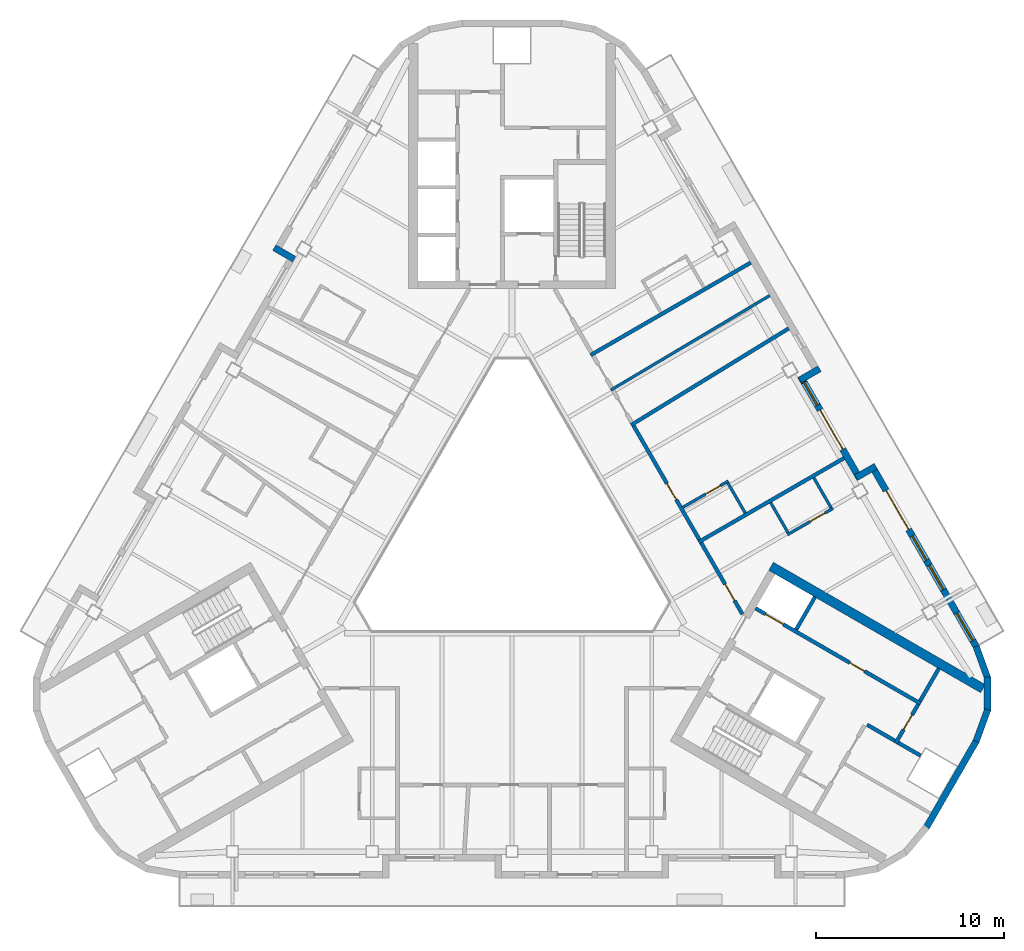
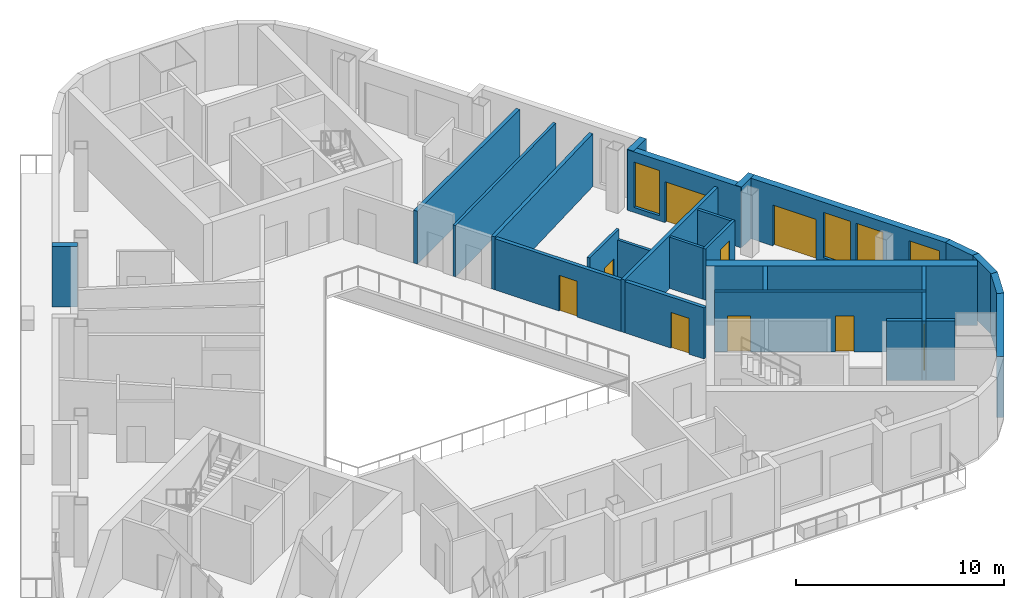
# One storey, part 6 of 13: 27 walls, 9 doors, 4 windows, 13 openings.
"""IFC4 building model written with IfcOpenShell, lengths in metres."""

from ifc_helpers import new_model, si_unit, direction, frame, frame_2d, origin, place, context, subcontext, project, spatial, rectangle, extrude, material, layer, layer_set, type_object, element, fill, save


model = new_model("IFC4")

# Units and contexts
model_context = context("Model", 3, precision=1e-05, world=origin(), true_north=direction((0.0, 1.0)))
body_context = subcontext(model_context, "Body", "Model", "MODEL_VIEW")
ifc_project = project(units=[si_unit("LENGTHUNIT", "METRE"), si_unit("AREAUNIT", "SQUARE_METRE"), si_unit("VOLUMEUNIT", "CUBIC_METRE"), si_unit("PLANEANGLEUNIT", "RADIAN"), si_unit("MASSUNIT", "GRAM", prefix="KILO")], contexts=[model_context])

# Site, building, storey
site_placement = place(None, origin())
site = spatial("IfcSite", under=ifc_project, at=site_placement, CompositionType="ELEMENT")
building_placement = place(site_placement, origin())
building = spatial("IfcBuilding", under=site, at=building_placement, Name="Apuvela Tower Hotel", CompositionType="ELEMENT")
storey_placement = place(building_placement, frame((0.0, 0.0, 272.60009765625)))
storey = spatial("IfcBuildingStorey", under=building, at=storey_placement, Name="L67", CompositionType="ELEMENT", Elevation=272.60009765625)

# Wall
ifc_material_1 = material(Name="Concrete C50/60", Category="concrete")
ifc_layer_1 = layer(ifc_material_1, 0.5)
ifc_layer_set_1 = layer_set([ifc_layer_1], Name="COR-WALL-CORE-500")
wall_type_1 = type_object("IfcWallType", Name="COR-WALL-CORE-500", PredefinedType="SHEAR", material=ifc_layer_set_1)
wall_1_placement = place(storey_placement, frame((13.796630859375, -1.9033203125, 0.0), z_axis=(0.0, 0.0, 1.0), x_axis=(0.866022106474, -0.500005711065, 0.0)))
element("IfcWall", 1, at=wall_1_placement, inside=storey, type_object=wall_type_1, Name="Core wall SE", PredefinedType="SHEAR", context=body_context, shape_type="SweptSolid", body=[
    extrude(rectangle(XDim=13.031494140625, YDim=0.5, at=frame_2d((6.515625, 0.0))), origin(), (0.0, 0.0, 1.0), 3.5),
])

# Wall, openings, doors
ifc_layer_2 = layer(ifc_material_1, 0.199951171875)
ifc_layer_set_2 = layer_set([ifc_layer_2], Name="COR-WALL-SHAFT-200")
wall_type_2 = type_object("IfcWallType", Name="COR-WALL-SHAFT-200", PredefinedType="SHEAR", material=ifc_layer_set_2)
wall_2_placement = place(storey_placement, frame((12.968017578125, -4.138427734375, 0.0), z_axis=(0.0, 0.0, 1.0), x_axis=(0.866028328073, -0.49999493495, 0.0)))
wall_2 = element("IfcWall", 2, at=wall_2_placement, inside=storey, type_object=wall_type_2, Name="Shaft wall SE", PredefinedType="SHEAR", context=body_context, shape_type="SweptSolid", body=[
    extrude(rectangle(XDim=10.16015625, YDim=0.199951171875, at=frame_2d((5.080078125, 0.0))), origin(), (0.0, 0.0, 1.0), 3.5),
])
opening_1_placement = place(wall_2_placement, frame((0.6201171875, 0.0, 0.0)))
opening_1 = element("IfcOpeningElement", 3, at=opening_1_placement, cuts=wall_2, Name="Opening E-LD-HR3", PredefinedType="OPENING", context=body_context, shape_type="SweptSolid", body=[
    extrude(rectangle(XDim=1.10009765625, YDim=2.10009765625, at=frame_2d((0.550048828125, 1.050048828125))), frame((0.0, 0.10986328125, 0.0), z_axis=(0.0, -1.0, 0.0), x_axis=(1.0, 0.0, 0.0)), (0.0, 0.0, 1.0), 0.219970703125),
])
opening_2_placement = place(wall_2_placement, frame((5.800048828125, 0.0, 0.0)))
opening_2 = element("IfcOpeningElement", 4, at=opening_2_placement, cuts=wall_2, Name="Opening E-RE2", PredefinedType="OPENING", context=body_context, shape_type="SweptSolid", body=[
    extrude(rectangle(XDim=0.89990234375, YDim=2.10009765625, at=frame_2d((0.449951171875, 1.050048828125))), frame((0.0, 0.10986328125, 0.0), z_axis=(0.0, -1.0, 0.0), x_axis=(1.0, 0.0, 0.0)), (0.0, 0.0, 1.0), 0.219970703125),
])
ifc_material_2 = material(Name="Steel fire door, powder coated", Category="steel")
door_type_1 = type_object("IfcDoorType", Name="COR-DR-900", OperationType="NOTDEFINED", PredefinedType="DOOR", material=ifc_material_2)
door_1_placement = place(opening_2_placement, origin())
door_1 = element("IfcDoor", 5, at=door_1_placement, inside=storey, type_object=door_type_1, Name="Store door E-RE2", OperationType="SINGLE_SWING_LEFT", OverallHeight=2.10009765625, OverallWidth=0.89990234375, PredefinedType="DOOR", context=body_context, shape_type="SweptSolid", body=[
    extrude(rectangle(XDim=0.89990234375, YDim=2.10009765625, at=frame_2d((0.449951171875, 1.050048828125))), frame((0.0, 0.02490234375, 0.0), z_axis=(0.0, -1.0, 0.0), x_axis=(1.0, 0.0, 0.0)), (0.0, 0.0, 1.0), 0.050048828125),
])
fill(opening_2, door_1)
ifc_material_3 = material(Name="Stainless steel lift landing door", Category="steel")
door_type_2 = type_object("IfcDoorType", Name="COR-LD-1100", OperationType="DOUBLE_DOOR_SLIDING", PredefinedType="DOOR", material=ifc_material_3)
door_2_placement = place(opening_1_placement, origin())
door_2 = element("IfcDoor", 6, at=door_2_placement, inside=storey, type_object=door_type_2, Name="Lift landing door E-LD-HR3", OperationType="DOUBLE_DOOR_SLIDING", OverallHeight=2.10009765625, OverallWidth=1.10009765625, PredefinedType="DOOR", context=body_context, shape_type="SweptSolid", body=[
    extrude(rectangle(XDim=1.10009765625, YDim=2.10009765625, at=frame_2d((0.550048828125, 1.050048828125))), frame((0.0, 0.02490234375, 0.0), z_axis=(0.0, -1.0, 0.0), x_axis=(1.0, 0.0, 0.0)), (0.0, 0.0, 1.0), 0.050048828125),
])
fill(opening_1, door_2)

# Wall, opening, door
wall_3_placement = place(storey_placement, frame((20.430419921875, -11.33349609375, 0.0), z_axis=(0.0, 0.0, 1.0), x_axis=(0.500001309137, 0.866024647952, 0.0)))
wall_3 = element("IfcWall", 7, at=wall_3_placement, inside=storey, type_object=wall_type_2, Name="Shaft wall SE", PredefinedType="SHEAR", context=body_context, shape_type="SweptSolid", body=[
    extrude(rectangle(XDim=2.39990234375, YDim=0.199951171875, at=frame_2d((1.199951171875, 0.0))), origin(), (0.0, 0.0, 1.0), 3.5),
])
opening_3_placement = place(wall_3_placement, frame((0.85009765625, 0.0, 0.0)))
opening_3 = element("IfcOpeningElement", 8, at=opening_3_placement, cuts=wall_3, Name="Opening E-REP", PredefinedType="OPENING", context=body_context, shape_type="SweptSolid", body=[
    extrude(rectangle(XDim=0.89990234375, YDim=2.10009765625, at=frame_2d((0.449951171875, 1.050048828125))), frame((0.0, 0.10986328125, 0.0), z_axis=(0.0, -1.0, 0.0), x_axis=(1.0, 0.0, 0.0)), (0.0, 0.0, 1.0), 0.219970703125),
])
door_3_placement = place(opening_3_placement, frame((0.89990234375, 0.0, 0.0), z_axis=(0.0, 0.0, 1.0), x_axis=(-1.0, 0.0, 0.0)))
door_3 = element("IfcDoor", 9, at=door_3_placement, inside=storey, type_object=door_type_1, Name="Store door E-REP", OperationType="SINGLE_SWING_RIGHT", OverallHeight=2.10009765625, OverallWidth=0.89990234375, PredefinedType="DOOR", context=body_context, shape_type="SweptSolid", body=[
    extrude(rectangle(XDim=0.89990234375, YDim=2.10009765625, at=frame_2d((0.449951171875, 1.050048828125))), frame((0.0, 0.02490234375, 0.0), z_axis=(0.0, -1.0, 0.0), x_axis=(1.0, 0.0, 0.0)), (0.0, 0.0, 1.0), 0.050048828125),
])
fill(opening_3, door_3)

# Walls
wall_4_placement = place(storey_placement, frame((18.912841796875, -10.342041015625, 0.0), z_axis=(0.0, 0.0, 1.0), x_axis=(0.866038183914, -0.499977863513, 0.0)))
element("IfcWall", 10, at=wall_4_placement, inside=storey, type_object=wall_type_2, Name="Shaft wall SE", PredefinedType="SHEAR", context=body_context, shape_type="SweptSolid", body=[
    extrude(rectangle(XDim=1.7099609375, YDim=0.199951171875, at=frame_2d((0.85498046875, 0.0))), origin(), (0.0, 0.0, 1.0), 3.5),
])
for number, where, z_axis, x_axis, name in (
    (11, (15.131103515625, -5.27197265625, 0.0), (0.0, 0.0, 1.0), (0.499972520799, 0.866041268327, 0.0), "Shaft wall SE"),
    (12, (21.73046875, -9.081787109375, 0.0), (0.0, 0.0, 1.0), (0.50002537861, 0.866010750942, 0.0), "Shaft wall SE"),
):
    element("IfcWall", number, at=place(storey_placement, frame(where, z_axis=z_axis, x_axis=x_axis)), inside=storey, type_object=wall_type_2, Name=name, PredefinedType="SHEAR", context=body_context, shape_type="SweptSolid", body=[
        extrude(rectangle(XDim=2.0, YDim=0.199951171875, at=frame_2d((1.0, 0.0))), origin(), (0.0, 0.0, 1.0), 3.5),
    ])
wall_5_placement = place(storey_placement, frame((20.56689453125, -11.297119140625, 0.0), z_axis=(0.0, 0.0, 1.0), x_axis=(0.866094443108, -0.499880401313, 0.0)))
element("IfcWall", 13, at=wall_5_placement, inside=storey, type_object=wall_type_2, Name="Shaft wall SE", PredefinedType="SHEAR", context=body_context, shape_type="SweptSolid", body=[
    extrude(rectangle(XDim=1.382568359375, YDim=0.199951171875, at=frame_2d((0.69140625, 0.0))), origin(), (0.0, 0.0, 1.0), 3.5),
])
ifc_material_4 = material(Name="Concrete C40/50, dark pigmented precast panel", Category="concrete")
ifc_layer_3 = layer(ifc_material_4, 0.35009765625)
ifc_layer_set_3 = layer_set([ifc_layer_3], Name="ENV-WALL-350")
wall_type_3 = type_object("IfcWallType", Name="ENV-WALL-350", PredefinedType="SOLIDWALL", material=ifc_layer_set_3)
wall_6_placement = place(storey_placement, frame((-12.65869140625, 15.06640625, 0.0), z_axis=(0.0, 0.0, 1.0), x_axis=(0.866005645448, -0.500034220881, 0.0)))
element("IfcWall", 14, at=wall_6_placement, inside=storey, type_object=wall_type_3, Name="External wall L67-02", PredefinedType="SOLIDWALL", context=body_context, shape_type="SweptSolid", body=[
    extrude(rectangle(XDim=1.22021484375, YDim=0.35009765625, at=frame_2d((0.610107421875, 0.0))), origin(), (0.0, 0.0, 1.0), 3.5498046875),
])
wall_7_placement = place(storey_placement, frame((22.06494140625, -15.817138671875, 0.0), z_axis=(0.0, 0.0, 1.0), x_axis=(0.500025039717, 0.866010946615, 0.0)))
element("IfcWall", 15, at=wall_7_placement, inside=storey, type_object=wall_type_3, Name="External wall L67-29", PredefinedType="SOLIDWALL", context=body_context, shape_type="SweptSolid", body=[
    extrude(rectangle(XDim=5.331298828125, YDim=0.35009765625, at=frame_2d((2.66552734375, 0.0))), origin(), (0.0, 0.0, 1.0), 3.5498046875),
])
wall_8_placement = place(storey_placement, frame((24.7177734375, -11.22802734375, 0.0), z_axis=(0.0, 0.0, 1.0), x_axis=(0.34206975284, 0.939674562916, 0.0)))
element("IfcWall", 16, at=wall_8_placement, inside=storey, type_object=wall_type_3, Name="External wall L67-30", PredefinedType="SOLIDWALL", context=body_context, shape_type="SweptSolid", body=[
    extrude(rectangle(XDim=1.800048828125, YDim=0.35009765625, at=frame_2d((0.89990234375, 0.0))), origin(), (0.0, 0.0, 1.0), 3.5498046875),
])
wall_9_placement = place(storey_placement, frame((25.32275390625, -9.5966796875, 0.0), z_axis=(0.0, 0.0, 1.0), x_axis=(0.0, 1.0, 0.0)))
element("IfcWall", 17, at=wall_9_placement, inside=storey, type_object=wall_type_3, Name="External wall L67-31", PredefinedType="SOLIDWALL", context=body_context, shape_type="SweptSolid", body=[
    extrude(rectangle(XDim=1.7998046875, YDim=0.35009765625, at=frame_2d((0.89990234375, 0.0))), origin(), (0.0, 0.0, 1.0), 3.5498046875),
])
wall_10_placement = place(storey_placement, frame((25.33349609375, -7.856689453125, 0.0), z_axis=(0.0, 0.0, 1.0), x_axis=(-0.34206975284, 0.939674562916, 0.0)))
element("IfcWall", 18, at=wall_10_placement, inside=storey, type_object=wall_type_3, Name="External wall L67-32", PredefinedType="SOLIDWALL", context=body_context, shape_type="SweptSolid", body=[
    extrude(rectangle(XDim=1.800048828125, YDim=0.35009765625, at=frame_2d((0.89990234375, 0.0))), origin(), (0.0, 0.0, 1.0), 3.5498046875),
])

# Wall, openings, door, windows
wall_11_placement = place(storey_placement, frame((24.730712890625, -6.193115234375, 0.0), z_axis=(0.0, 0.0, 1.0), x_axis=(-0.500007749075, 0.866020929808, 0.0)))
wall_11 = element("IfcWall", 19, at=wall_11_placement, inside=storey, type_object=wall_type_3, Name="External wall L67-33", PredefinedType="SOLIDWALL", context=body_context, shape_type="SweptSolid", body=[
    extrude(rectangle(XDim=11.185302734375, YDim=0.35009765625, at=frame_2d((5.5927734375, 0.0))), origin(), (0.0, 0.0, 1.0), 3.5498046875),
])
opening_4_placement = place(wall_11_placement, frame((0.380859375, 0.0, 0.300048828125)))
opening_4 = element("IfcOpeningElement", 20, at=opening_4_placement, cuts=wall_11, Name="Opening WN17", PredefinedType="OPENING", context=body_context, shape_type="SweptSolid", body=[
    extrude(rectangle(XDim=1.699951171875, YDim=2.64990234375, at=frame_2d((0.85009765625, 1.324951171875))), frame((0.0, 0.18505859375, 0.0), z_axis=(0.0, -1.0, 0.0), x_axis=(1.0, 0.0, 0.0)), (0.0, 0.0, 1.0), 0.3701171875),
])
opening_5_placement = place(wall_11_placement, frame((7.209716796875, 0.0, 0.0)))
opening_5 = element("IfcOpeningElement", 21, at=opening_5_placement, cuts=wall_11, Name="Opening BD24", PredefinedType="OPENING", context=body_context, shape_type="SweptSolid", body=[
    extrude(rectangle(XDim=2.39990234375, YDim=2.39990234375, at=frame_2d((1.199951171875, 1.199951171875))), frame((0.0, 0.18505859375, 0.0), z_axis=(0.0, -1.0, 0.0), x_axis=(1.0, 0.0, 0.0)), (0.0, 0.0, 1.0), 0.3701171875),
])
opening_6_placement = place(wall_11_placement, frame((3.5166015625, 0.0, 0.300048828125)))
opening_6 = element("IfcOpeningElement", 22, at=opening_6_placement, cuts=wall_11, Name="Opening WN15", PredefinedType="OPENING", context=body_context, shape_type="SweptSolid", body=[
    extrude(rectangle(XDim=1.5, YDim=2.64990234375, at=frame_2d((0.75, 1.324951171875))), frame((0.0, 0.18505859375, 0.0), z_axis=(0.0, -1.0, 0.0), x_axis=(1.0, 0.0, 0.0)), (0.0, 0.0, 1.0), 0.3701171875),
])
opening_7_placement = place(wall_11_placement, frame((5.316650390625, 0.0, 0.300048828125)))
opening_7 = element("IfcOpeningElement", 23, at=opening_7_placement, cuts=wall_11, Name="Opening WN15", PredefinedType="OPENING", context=body_context, shape_type="SweptSolid", body=[
    extrude(rectangle(XDim=1.5, YDim=2.64990234375, at=frame_2d((0.75, 1.324951171875))), frame((0.0, 0.18505859375, 0.0), z_axis=(0.0, -1.0, 0.0), x_axis=(1.0, 0.0, 0.0)), (0.0, 0.0, 1.0), 0.3701171875),
])
ifc_material_5 = material(Name="Aluminium 6063-T6, dark bronze anodised frame with dark tinted laminated glass", Category="aluminium")
door_type_3 = type_object("IfcDoorType", Name="ENV-DOOR-BALCONY-2400x2400", OperationType="SLIDING_TO_LEFT", PredefinedType="DOOR", material=ifc_material_5)
door_4_placement = place(opening_5_placement, frame((2.39990234375, 0.0, 0.0), z_axis=(0.0, 0.0, 1.0), x_axis=(-1.0, 0.0, 0.0)))
door_4 = element("IfcDoor", 24, at=door_4_placement, inside=storey, type_object=door_type_3, Name="Balcony door BD24", OperationType="SLIDING_TO_LEFT", OverallHeight=2.39990234375, OverallWidth=2.39990234375, PredefinedType="DOOR", context=body_context, shape_type="SweptSolid", body=[
    extrude(rectangle(XDim=2.39990234375, YDim=2.39990234375, at=frame_2d((1.199951171875, 1.199951171875))), frame((0.0, 0.02490234375, 0.0), z_axis=(0.0, -1.0, 0.0), x_axis=(1.0, 0.0, 0.0)), (0.0, 0.0, 1.0), 0.050048828125),
])
fill(opening_5, door_4)
ifc_material_6 = material(Name="Glass, dark tinted laminated insulated glazing unit", Category="glass")
window_type_1 = type_object("IfcWindowType", Name="ENV-WIN-1500x2650", PartitioningType="SINGLE_PANEL", PredefinedType="WINDOW", material=ifc_material_6)
window_1_placement = place(opening_6_placement, origin())
window_1 = element("IfcWindow", 25, at=window_1_placement, inside=storey, type_object=window_type_1, Name="Window WN15", OverallHeight=2.64990234375, OverallWidth=1.5, PartitioningType="SINGLE_PANEL", PredefinedType="WINDOW", context=body_context, shape_type="SweptSolid", body=[
    extrude(rectangle(XDim=1.5, YDim=2.64990234375, at=frame_2d((0.75, 1.324951171875))), frame((0.0, 0.030029296875, 0.0), z_axis=(0.0, -1.0, 0.0), x_axis=(1.0, 0.0, 0.0)), (0.0, 0.0, 1.0), 0.06005859375),
])
fill(opening_6, window_1)
window_2_placement = place(opening_7_placement, origin())
window_2 = element("IfcWindow", 26, at=window_2_placement, inside=storey, type_object=window_type_1, Name="Window WN15", OverallHeight=2.64990234375, OverallWidth=1.5, PartitioningType="SINGLE_PANEL", PredefinedType="WINDOW", context=body_context, shape_type="SweptSolid", body=[
    extrude(rectangle(XDim=1.5, YDim=2.64990234375, at=frame_2d((0.75, 1.324951171875))), frame((0.0, 0.030029296875, 0.0), z_axis=(0.0, -1.0, 0.0), x_axis=(1.0, 0.0, 0.0)), (0.0, 0.0, 1.0), 0.06005859375),
])
fill(opening_7, window_2)
window_type_2 = type_object("IfcWindowType", Name="ENV-WIN-1700x2650", PartitioningType="SINGLE_PANEL", PredefinedType="WINDOW", material=ifc_material_6)
window_3_placement = place(opening_4_placement, origin())
window_3 = element("IfcWindow", 27, at=window_3_placement, inside=storey, type_object=window_type_2, Name="Window WN17", OverallHeight=2.64990234375, OverallWidth=1.699951171875, PartitioningType="SINGLE_PANEL", PredefinedType="WINDOW", context=body_context, shape_type="SweptSolid", body=[
    extrude(rectangle(XDim=1.699951171875, YDim=2.64990234375, at=frame_2d((0.85009765625, 1.324951171875))), frame((0.0, 0.030029296875, 0.0), z_axis=(0.0, -1.0, 0.0), x_axis=(1.0, 0.0, 0.0)), (0.0, 0.0, 1.0), 0.06005859375),
])
fill(opening_4, window_3)

# Wall
wall_12_placement = place(storey_placement, frame((19.377197265625, 3.429443359375, 0.0), z_axis=(0.0, 0.0, 1.0), x_axis=(-0.866092288191, -0.499884134912, 0.0)))
element("IfcWall", 28, at=wall_12_placement, inside=storey, type_object=wall_type_3, Name="External wall L67-34", PredefinedType="SOLIDWALL", context=body_context, shape_type="SweptSolid", body=[
    extrude(rectangle(XDim=1.219970703125, YDim=0.35009765625, at=frame_2d((0.60986328125, 0.0))), origin(), (0.0, 0.0, 1.0), 3.5498046875),
])

# Wall, openings, door, window
wall_13_placement = place(storey_placement, frame((18.5185546875, 2.766357421875, 0.0), z_axis=(0.0, 0.0, 1.0), x_axis=(-0.499995993298, 0.866027717042, 0.0)))
wall_13 = element("IfcWall", 29, at=wall_13_placement, inside=storey, type_object=wall_type_3, Name="External wall L67-35", PredefinedType="SOLIDWALL", context=body_context, shape_type="SweptSolid", body=[
    extrude(rectangle(XDim=6.28369140625, YDim=0.35009765625, at=frame_2d((3.141845703125, 0.0))), origin(), (0.0, 0.0, 1.0), 3.5498046875),
])
opening_8_placement = place(wall_13_placement, frame((1.813232421875, 0.0, 0.0)))
opening_8 = element("IfcOpeningElement", 30, at=opening_8_placement, cuts=wall_13, Name="Opening BD24", PredefinedType="OPENING", context=body_context, shape_type="SweptSolid", body=[
    extrude(rectangle(XDim=2.39990234375, YDim=2.39990234375, at=frame_2d((1.199951171875, 1.199951171875))), frame((0.0, 0.18505859375, 0.0), z_axis=(0.0, -1.0, 0.0), x_axis=(1.0, 0.0, 0.0)), (0.0, 0.0, 1.0), 0.3701171875),
])
opening_9_placement = place(wall_13_placement, frame((4.51318359375, 0.0, 0.300048828125)))
opening_9 = element("IfcOpeningElement", 31, at=opening_9_placement, cuts=wall_13, Name="Opening WN14", PredefinedType="OPENING", context=body_context, shape_type="SweptSolid", body=[
    extrude(rectangle(XDim=1.39990234375, YDim=2.64990234375, at=frame_2d((0.699951171875, 1.324951171875))), frame((0.0, 0.18505859375, 0.0), z_axis=(0.0, -1.0, 0.0), x_axis=(1.0, 0.0, 0.0)), (0.0, 0.0, 1.0), 0.3701171875),
])
door_5_placement = place(opening_8_placement, frame((2.39990234375, 0.0, 0.0), z_axis=(0.0, 0.0, 1.0), x_axis=(-1.0, 0.0, 0.0)))
door_5 = element("IfcDoor", 32, at=door_5_placement, inside=storey, type_object=door_type_3, Name="Balcony door BD24", OperationType="SLIDING_TO_LEFT", OverallHeight=2.39990234375, OverallWidth=2.39990234375, PredefinedType="DOOR", context=body_context, shape_type="SweptSolid", body=[
    extrude(rectangle(XDim=2.39990234375, YDim=2.39990234375, at=frame_2d((1.199951171875, 1.199951171875))), frame((0.0, 0.02490234375, 0.0), z_axis=(0.0, -1.0, 0.0), x_axis=(1.0, 0.0, 0.0)), (0.0, 0.0, 1.0), 0.050048828125),
])
fill(opening_8, door_5)
window_type_3 = type_object("IfcWindowType", Name="ENV-WIN-1400x2650", PartitioningType="SINGLE_PANEL", PredefinedType="WINDOW", material=ifc_material_6)
window_4_placement = place(opening_9_placement, origin())
window_4 = element("IfcWindow", 33, at=window_4_placement, inside=storey, type_object=window_type_3, Name="Window WN14", OverallHeight=2.64990234375, OverallWidth=1.39990234375, PartitioningType="SINGLE_PANEL", PredefinedType="WINDOW", context=body_context, shape_type="SweptSolid", body=[
    extrude(rectangle(XDim=1.39990234375, YDim=2.64990234375, at=frame_2d((0.699951171875, 1.324951171875))), frame((0.0, 0.030029296875, 0.0), z_axis=(0.0, -1.0, 0.0), x_axis=(1.0, 0.0, 0.0)), (0.0, 0.0, 1.0), 0.06005859375),
])
fill(opening_9, window_4)

# Walls
wall_14_placement = place(storey_placement, frame((15.32373046875, 8.010009765625, 0.0), z_axis=(0.0, 0.0, 1.0), x_axis=(0.866005645448, 0.500034220881, 0.0)))
element("IfcWall", 34, at=wall_14_placement, inside=storey, type_object=wall_type_3, Name="External wall L67-36", PredefinedType="SOLIDWALL", context=body_context, shape_type="SweptSolid", body=[
    extrude(rectangle(XDim=1.22021484375, YDim=0.35009765625, at=frame_2d((0.610107421875, 0.0))), origin(), (0.0, 0.0, 1.0), 3.5498046875),
])
ifc_material_7 = material(Name="Gypsum board partition on twin steel stud", Category="steel")
ifc_layer_4 = layer(ifc_material_7, 0.199951171875)
ifc_layer_set_4 = layer_set([ifc_layer_4], Name="GST-PW1")
wall_type_4 = type_object("IfcWallType", Name="GST-PW1", PredefinedType="PARTITIONING", material=ifc_layer_set_4)
wall_15_placement = place(storey_placement, frame((17.685302734375, 3.85986328125, 0.0), z_axis=(0.0, 0.0, 1.0), x_axis=(-0.866026066645, -0.499998851889, 0.0)))
element("IfcWall", 35, at=wall_15_placement, inside=storey, type_object=wall_type_4, Name="L67 partition 05", PredefinedType="PARTITIONING", context=body_context, shape_type="SweptSolid", body=[
    extrude(rectangle(XDim=8.94580078125, YDim=0.199951171875, at=frame_2d((4.472900390625, 0.0))), origin(), (0.0, 0.0, 1.0), 3.099853515625),
])
wall_16_placement = place(storey_placement, frame((14.7373046875, 10.76611328125, 0.0), z_axis=(0.0, 0.0, 1.0), x_axis=(-0.852501485732, -0.522724800277, 0.0)))
element("IfcWall", 36, at=wall_16_placement, inside=storey, type_object=wall_type_4, Name="L67 partition 06", PredefinedType="PARTITIONING", context=body_context, shape_type="SweptSolid", body=[
    extrude(rectangle(XDim=9.84912109375, YDim=0.199951171875, at=frame_2d((4.924560546875, 0.0))), origin(), (0.0, 0.0, 1.0), 3.099853515625),
])
wall_17_placement = place(storey_placement, frame((12.714599609375, 14.26904296875, 0.0), z_axis=(0.0, 0.0, 1.0), x_axis=(-0.866024954444, -0.500000778279, 0.0)))
element("IfcWall", 37, at=wall_17_placement, inside=storey, type_object=wall_type_4, Name="L67 partition 07", PredefinedType="PARTITIONING", context=body_context, shape_type="SweptSolid", body=[
    extrude(rectangle(XDim=9.845703125, YDim=0.199951171875, at=frame_2d((4.9228515625, 0.0))), origin(), (0.0, 0.0, 1.0), 3.099853515625),
])

# Wall, opening, door
ifc_material_8 = material(Name="Gypsum board corridor wall on twin steel stud, acoustic", Category="steel")
ifc_layer_5 = layer(ifc_material_8, 0.199951171875)
ifc_layer_set_5 = layer_set([ifc_layer_5], Name="GST-PW2")
wall_type_5 = type_object("IfcWallType", Name="GST-PW2", PredefinedType="PARTITIONING", material=ifc_layer_set_5)
wall_18_placement = place(storey_placement, frame((10.07470703125, -0.649658203125, 0.0), z_axis=(0.0, 0.0, 1.0), x_axis=(0.499998569178, -0.866026229868, 0.0)))
wall_18 = element("IfcWall", 38, at=wall_18_placement, inside=storey, type_object=wall_type_5, Name="L67 partition 22", PredefinedType="PARTITIONING", context=body_context, shape_type="SweptSolid", body=[
    extrude(rectangle(XDim=4.38818359375, YDim=0.199951171875, at=frame_2d((2.194091796875, 0.0))), origin(), (0.0, 0.0, 1.0), 3.0),
])
opening_10_placement = place(wall_18_placement, frame((2.550048828125, 0.0, 0.0)))
opening_10 = element("IfcOpeningElement", 39, at=opening_10_placement, cuts=wall_18, Name="Opening GD26-09", PredefinedType="OPENING", context=body_context, shape_type="SweptSolid", body=[
    extrude(rectangle(XDim=1.0, YDim=2.10009765625, at=frame_2d((0.5, 1.050048828125))), frame((0.0, 0.10986328125, 0.0), z_axis=(0.0, -1.0, 0.0), x_axis=(1.0, 0.0, 0.0)), (0.0, 0.0, 1.0), 0.219970703125),
])
ifc_material_9 = material(Name="Timber door leaf in steel frame", Category="steel")
door_type_4 = type_object("IfcDoorType", Name="GST-D1", OperationType="NOTDEFINED", PredefinedType="DOOR", material=ifc_material_9)
door_6_placement = place(opening_10_placement, origin())
door_6 = element("IfcDoor", 40, at=door_6_placement, inside=storey, type_object=door_type_4, Name="Door L67-09", OperationType="SINGLE_SWING_LEFT", OverallHeight=2.10009765625, OverallWidth=1.0, PredefinedType="DOOR", context=body_context, shape_type="SweptSolid", body=[
    extrude(rectangle(XDim=1.0, YDim=2.10009765625, at=frame_2d((0.5, 1.050048828125))), frame((0.0, 0.02490234375, 0.0), z_axis=(0.0, -1.0, 0.0), x_axis=(1.0, 0.0, 0.0)), (0.0, 0.0, 1.0), 0.050048828125),
])
fill(opening_10, door_6)

wall_19_placement = place(storey_placement, frame((6.47607421875, 5.583251953125, 0.0), z_axis=(0.0, 0.0, 1.0), x_axis=(0.499989243959, -0.866031613699, 0.0)))
wall_19 = element("IfcWall", 41, at=wall_19_placement, inside=storey, type_object=wall_type_5, Name="L67 partition 26", PredefinedType="PARTITIONING", context=body_context, shape_type="SweptSolid", body=[
    extrude(rectangle(XDim=6.997314453125, YDim=0.199951171875, at=frame_2d((3.49853515625, 0.0))), origin(), (0.0, 0.0, 1.0), 3.0),
])
opening_11_placement = place(wall_19_placement, frame((3.54736328125, 0.0, 0.0)))
opening_11 = element("IfcOpeningElement", 42, at=opening_11_placement, cuts=wall_19, Name="Opening GD26-11", PredefinedType="OPENING", context=body_context, shape_type="SweptSolid", body=[
    extrude(rectangle(XDim=1.0, YDim=2.10009765625, at=frame_2d((0.5, 1.050048828125))), frame((0.0, 0.10986328125, 0.0), z_axis=(0.0, -1.0, 0.0), x_axis=(1.0, 0.0, 0.0)), (0.0, 0.0, 1.0), 0.219970703125),
])
door_7_placement = place(opening_11_placement, origin())
door_7 = element("IfcDoor", 43, at=door_7_placement, inside=storey, type_object=door_type_4, Name="Door L67-11", OperationType="SINGLE_SWING_LEFT", OverallHeight=2.10009765625, OverallWidth=1.0, PredefinedType="DOOR", context=body_context, shape_type="SweptSolid", body=[
    extrude(rectangle(XDim=1.0, YDim=2.10009765625, at=frame_2d((0.5, 1.050048828125))), frame((0.0, 0.02490234375, 0.0), z_axis=(0.0, -1.0, 0.0), x_axis=(1.0, 0.0, 0.0)), (0.0, 0.0, 1.0), 0.050048828125),
])
fill(opening_11, door_7)

ifc_material_10 = material(Name="Moisture-resistant gypsum board wet wall on steel stud", Category="steel")
ifc_layer_6 = layer(ifc_material_10, 0.14990234375)
ifc_layer_set_6 = layer_set([ifc_layer_6], Name="GST-PW3")
wall_type_6 = type_object("IfcWallType", Name="GST-PW3", PredefinedType="PARTITIONING", material=ifc_layer_set_6)
wall_20_placement = place(storey_placement, frame((14.67431640625, -0.216796875, 0.0), z_axis=(0.0, 0.0, 1.0), x_axis=(0.866056369097, 0.49994636267, 0.0)))
wall_20 = element("IfcWall", 44, at=wall_20_placement, inside=storey, type_object=wall_type_6, Name="L67 partition 23", PredefinedType="PARTITIONING", context=body_context, shape_type="SweptSolid", body=[
    extrude(rectangle(XDim=2.800048828125, YDim=0.14990234375, at=frame_2d((1.39990234375, 0.0))), origin(), (0.0, 0.0, 1.0), 3.0),
])
opening_12_placement = place(wall_20_placement, frame((1.39990234375, 0.0, 0.0)))
opening_12 = element("IfcOpeningElement", 45, at=opening_12_placement, cuts=wall_20, Name="Opening GD26-08", PredefinedType="OPENING", context=body_context, shape_type="SweptSolid", body=[
    extrude(rectangle(XDim=0.89990234375, YDim=2.10009765625, at=frame_2d((0.449951171875, 1.050048828125))), frame((0.0, 0.0849609375, 0.0), z_axis=(0.0, -1.0, 0.0), x_axis=(1.0, 0.0, 0.0)), (0.0, 0.0, 1.0), 0.169921875),
])
door_type_5 = type_object("IfcDoorType", Name="GST-D2", OperationType="NOTDEFINED", PredefinedType="DOOR", material=ifc_material_9)
door_8_placement = place(opening_12_placement, origin())
door_8 = element("IfcDoor", 46, at=door_8_placement, inside=storey, type_object=door_type_5, Name="Door L67-08", OperationType="SINGLE_SWING_RIGHT", OverallHeight=2.10009765625, OverallWidth=0.89990234375, PredefinedType="DOOR", context=body_context, shape_type="SweptSolid", body=[
    extrude(rectangle(XDim=0.89990234375, YDim=2.10009765625, at=frame_2d((0.449951171875, 1.050048828125))), frame((0.0, 0.02490234375, 0.0), z_axis=(0.0, -1.0, 0.0), x_axis=(1.0, 0.0, 0.0)), (0.0, 0.0, 1.0), 0.050048828125),
])
fill(opening_12, door_8)

# Walls
wall_21_placement = place(storey_placement, frame((16.996826171875, 1.210693359375, 0.0), z_axis=(0.0, 0.0, 1.0), x_axis=(-0.500042316284, 0.866000971088, 0.0)))
element("IfcWall", 47, at=wall_21_placement, inside=storey, type_object=wall_type_6, Name="L67 partition 24", PredefinedType="PARTITIONING", context=body_context, shape_type="SweptSolid", body=[
    extrude(rectangle(XDim=1.849853515625, YDim=0.14990234375, at=frame_2d((0.9248046875, 0.0))), origin(), (0.0, 0.0, 1.0), 3.0),
])
wall_22_placement = place(storey_placement, frame((14.701904296875, -0.114501953125, 0.0), z_axis=(0.0, 0.0, 1.0), x_axis=(-0.499985172903, 0.866033964044, 0.0)))
element("IfcWall", 48, at=wall_22_placement, inside=storey, type_object=wall_type_6, Name="L67 partition 25", PredefinedType="PARTITIONING", context=body_context, shape_type="SweptSolid", body=[
    extrude(rectangle(XDim=1.85009765625, YDim=0.14990234375, at=frame_2d((0.925048828125, 0.0))), origin(), (0.0, 0.0, 1.0), 3.0),
])

# Wall, opening, door
wall_23_placement = place(storey_placement, frame((11.523681640625, 2.640625, 0.0), z_axis=(0.0, 0.0, 1.0), x_axis=(-0.866018616679, -0.500011755427, 0.0)))
wall_23 = element("IfcWall", 49, at=wall_23_placement, inside=storey, type_object=wall_type_6, Name="L67 partition 27", PredefinedType="PARTITIONING", context=body_context, shape_type="SweptSolid", body=[
    extrude(rectangle(XDim=2.80029296875, YDim=0.14990234375, at=frame_2d((1.400146484375, 0.0))), origin(), (0.0, 0.0, 1.0), 3.5498046875),
])
opening_13_placement = place(wall_23_placement, frame((0.5, 0.0, 0.0)))
opening_13 = element("IfcOpeningElement", 50, at=opening_13_placement, cuts=wall_23, Name="Opening GD26-10", PredefinedType="OPENING", context=body_context, shape_type="SweptSolid", body=[
    extrude(rectangle(XDim=0.89990234375, YDim=2.10009765625, at=frame_2d((0.449951171875, 1.050048828125))), frame((0.0, 0.0849609375, 0.0), z_axis=(0.0, -1.0, 0.0), x_axis=(1.0, 0.0, 0.0)), (0.0, 0.0, 1.0), 0.169921875),
])
door_9_placement = place(opening_13_placement, origin())
door_9 = element("IfcDoor", 51, at=door_9_placement, inside=storey, type_object=door_type_5, Name="Door L67-10", OperationType="SINGLE_SWING_LEFT", OverallHeight=2.10009765625, OverallWidth=0.89990234375, PredefinedType="DOOR", context=body_context, shape_type="SweptSolid", body=[
    extrude(rectangle(XDim=0.89990234375, YDim=2.10009765625, at=frame_2d((0.449951171875, 1.050048828125))), frame((0.0, 0.02490234375, 0.0), z_axis=(0.0, -1.0, 0.0), x_axis=(1.0, 0.0, 0.0)), (0.0, 0.0, 1.0), 0.050048828125),
])
fill(opening_13, door_9)

# Walls
wall_24_placement = place(storey_placement, frame((12.421142578125, 0.93603515625, 0.0), z_axis=(0.0, 0.0, 1.0), x_axis=(-0.500042316284, 0.866000971088, 0.0)))
element("IfcWall", 52, at=wall_24_placement, inside=storey, type_object=wall_type_6, Name="L67 partition 28", PredefinedType="PARTITIONING", context=body_context, shape_type="SweptSolid", body=[
    extrude(rectangle(XDim=1.849853515625, YDim=0.14990234375, at=frame_2d((0.9248046875, 0.0))), origin(), (0.0, 0.0, 1.0), 3.0),
])
wall_25_placement = place(storey_placement, frame((13.72607421875, 12.517578125, 0.0), z_axis=(0.0, 0.0, 1.0), x_axis=(-0.859340362174, -0.511404088699, 0.0)))
element("IfcWall", 53, at=wall_25_placement, inside=storey, type_object=wall_type_6, Name="L67 partition 29", PredefinedType="PARTITIONING", context=body_context, shape_type="SweptSolid", body=[
    extrude(rectangle(XDim=9.8466796875, YDim=0.14990234375, at=frame_2d((4.92333984375, 0.0))), origin(), (0.0, 0.0, 1.0), 3.0),
])

save(model, "model.ifc")
